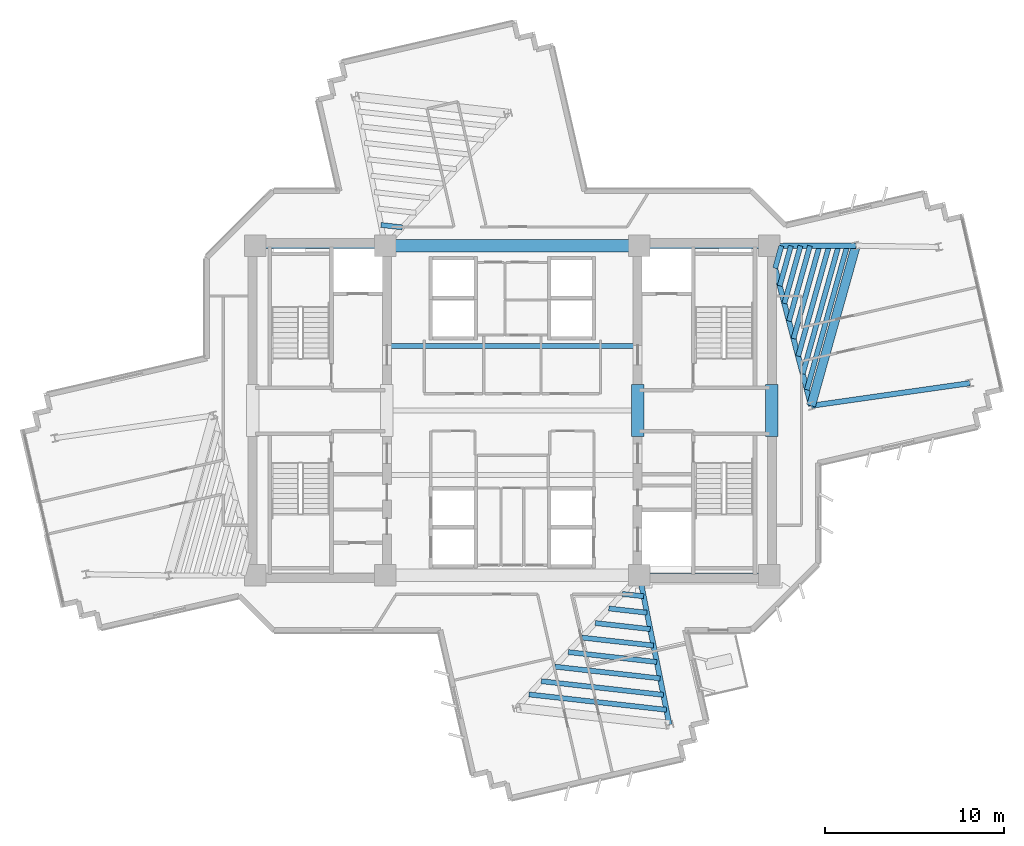
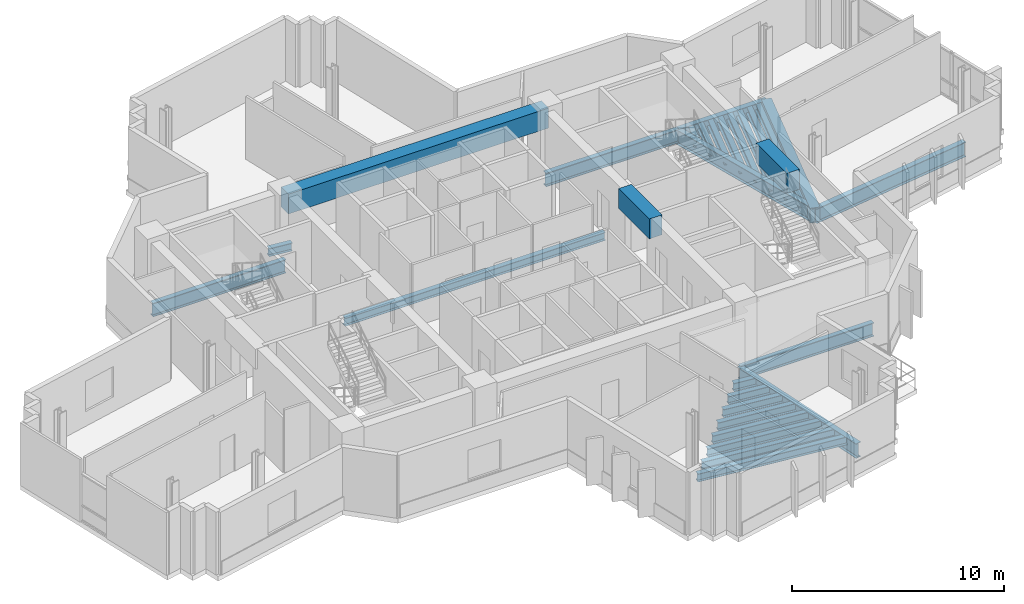
# One storey, part 3 of 13: 29 beams.
"""IFC4 building model written with IfcOpenShell, lengths in metres."""

import ifcopenshell
import ifcopenshell.guid

model = None  # the IFC model being written
_history = None  # IfcOwnerHistory: only IFC2X3 demands one
_inside = {}  # id of a spatial element -> (the spatial element, [elements in it])
_under = {}  # id of a project, library or spatial element -> (it, [spatial elements below it])
_declared = {}  # id of a project -> (the project, [libraries it declares])
_typed = {}  # id of a type object -> (the type object, [elements of that type])
_made_of = {}  # id of a material, layer set ... -> (it, [elements and type objects made of it])


def new_model(schema):
    """Start an empty IFC model of exactly this schema.

    Asked for "IFC4X3", IfcOpenShell would pick the latest addendum, in which some entities
    have other attributes; the version numbers below select the first issue.
    IFC2X3 requires an IfcOwnerHistory on every rooted entity: one is made here for all.
    """
    global model, _history
    if schema == "IFC4X3":
        model = ifcopenshell.file(schema_version=(4, 3, 0, 0))
    else:
        model = ifcopenshell.file(schema=schema)
    _inside.clear()
    _under.clear()
    _declared.clear()
    _typed.clear()
    _made_of.clear()
    _history = None
    if model.schema == "IFC2X3":
        org = make("IfcOrganization", Name="unknown")
        user = make(
            "IfcPersonAndOrganization",
            ThePerson=make("IfcPerson", FamilyName="unknown"),
            TheOrganization=org,
        )
        app = make(
            "IfcApplication",
            ApplicationDeveloper=org,
            Version="unknown",
            ApplicationFullName="unknown",
            ApplicationIdentifier="unknown",
        )
        _history = make(
            "IfcOwnerHistory",
            OwningUser=user,
            OwningApplication=app,
            ChangeAction="ADDED",
            CreationDate=0,
        )
    return model


def make(cls, **values):
    """One entity of the class cls with the attributes given. An attribute that is None is left unset."""
    return model.create_entity(
        cls, **{name: value for name, value in values.items() if value is not None}
    )


def rooted(cls, **values):
    """An entity with a GlobalId (a new one), such as an element, a storey or a relation."""
    return make(cls, GlobalId=ifcopenshell.guid.new(), OwnerHistory=_history, **values)


def si_unit(unit_type, name, prefix=None):
    """IfcSIUnit, for example si_unit("LENGTHUNIT", "METRE", prefix="MILLI")."""
    return make("IfcSIUnit", UnitType=unit_type, Prefix=prefix, Name=name)


def assignment(units):
    """IfcUnitAssignment: the units of a project."""
    return None if units is None else make("IfcUnitAssignment", Units=units)


def point(xyz):
    """IfcCartesianPoint."""
    return None if xyz is None else make("IfcCartesianPoint", Coordinates=xyz)


def direction(xyz):
    """IfcDirection."""
    return None if xyz is None else make("IfcDirection", DirectionRatios=xyz)


def frame(location, z_axis=None, x_axis=None):
    """IfcAxis2Placement3D, a coordinate frame: its origin and axes. An axis left out is left unset."""
    return make(
        "IfcAxis2Placement3D",
        Location=point(location),
        Axis=direction(z_axis),
        RefDirection=direction(x_axis),
    )


def frame_2d(location, x_axis=None):
    """IfcAxis2Placement2D, a coordinate frame in the plane: its origin and x axis."""
    return make(
        "IfcAxis2Placement2D", Location=point(location), RefDirection=direction(x_axis)
    )


def origin():
    """The frame at (0, 0, 0) with its axes left unset."""
    return frame((0.0, 0.0, 0.0))


def origin_2d():
    """The frame at (0, 0) in the plane with its x axis left unset."""
    return frame_2d((0.0, 0.0))


def place(relative_to, where):
    """IfcLocalPlacement: puts the frame where relative to a parent placement (None: the world)."""
    return make(
        "IfcLocalPlacement", PlacementRelTo=relative_to, RelativePlacement=where
    )


def context(
    kind, dimensions, precision=None, world=None, true_north=None, identifier=None
):
    """IfcGeometricRepresentationContext, for example the 3D "Model" context."""
    return make(
        "IfcGeometricRepresentationContext",
        ContextIdentifier=identifier,
        ContextType=kind,
        CoordinateSpaceDimension=dimensions,
        Precision=precision,
        WorldCoordinateSystem=world,
        TrueNorth=true_north,
    )


def subcontext(parent, identifier, kind, view, scale=None):
    """IfcGeometricRepresentationSubContext, for example "Body" below "Model"."""
    return make(
        "IfcGeometricRepresentationSubContext",
        ContextIdentifier=identifier,
        ContextType=kind,
        ParentContext=parent,
        TargetScale=scale,
        TargetView=view,
    )


def project(units=None, contexts=None):
    """IfcProject with its units and contexts."""
    return rooted(
        "IfcProject",
        Name="project",
        RepresentationContexts=contexts,
        UnitsInContext=assignment(units),
    )


def spatial(cls, under=None, at=None, **own):
    """A site, building, storey or space (cls), placed at a placement, below another one or the project."""
    s = rooted(cls, ObjectPlacement=at, **own)
    if under is not None:
        _under.setdefault(under.id(), (under, []))[1].append(s)
    return s


def profile(cls, at=None, kind="AREA", **sizes):
    """A parametric profile (cls). Its sizes go by their IFC names, for example OverallWidth=200.0."""
    return make(cls, ProfileType=kind, Position=at, **sizes)


def rectangle(**sizes):
    """IfcRectangleProfileDef."""
    return profile("IfcRectangleProfileDef", **sizes)


def i_section(**sizes):
    """IfcIShapeProfileDef."""
    return profile("IfcIShapeProfileDef", **sizes)


def extrude(swept, where, along, depth):
    """IfcExtrudedAreaSolid: the profile swept, set in the frame where, extruded along a direction by depth."""
    return make(
        "IfcExtrudedAreaSolid",
        SweptArea=swept,
        Position=where,
        ExtrudedDirection=direction(along),
        Depth=depth,
    )


def shape(context_of_items, identifier, shape_type, items):
    """IfcShapeRepresentation: the items that make up one representation, for example the "Body"."""
    return make(
        "IfcShapeRepresentation",
        ContextOfItems=context_of_items,
        RepresentationIdentifier=identifier,
        RepresentationType=shape_type,
        Items=items,
    )


def source(mapping_origin, context_of_items, identifier, shape_type, items):
    """IfcRepresentationMap: a shape defined once, which mapped items show again and again."""
    return make(
        "IfcRepresentationMap",
        MappingOrigin=mapping_origin,
        MappedRepresentation=shape(context_of_items, identifier, shape_type, items),
    )


def transform(
    local_origin,
    x_axis=None,
    y_axis=None,
    z_axis=None,
    scale=None,
    scale2=None,
    scale3=None,
    uniform=True,
):
    """IfcCartesianTransformationOperator3D, or its non-uniform kind. x_axis, y_axis, z_axis: its Axis1, 2, 3."""
    if uniform:
        return make(
            "IfcCartesianTransformationOperator3D",
            Axis1=direction(x_axis),
            Axis2=direction(y_axis),
            LocalOrigin=point(local_origin),
            Scale=scale,
            Axis3=direction(z_axis),
        )
    return make(
        "IfcCartesianTransformationOperator3DnonUniform",
        Axis1=direction(x_axis),
        Axis2=direction(y_axis),
        LocalOrigin=point(local_origin),
        Scale=scale,
        Axis3=direction(z_axis),
        Scale2=scale2,
        Scale3=scale3,
    )


def mapped(mapping_source, mapping_target):
    """IfcMappedItem: shows the shape of a source again, moved by a transform."""
    return make(
        "IfcMappedItem", MappingSource=mapping_source, MappingTarget=mapping_target
    )


def material(Name=None, Category=None):
    """IfcMaterial."""
    return make("IfcMaterial", Name=Name, Category=Category)


def material_profile(
    of_material, cross_section, Name=None, Category=None, Priority=None
):
    """IfcMaterialProfile: a cross section and its material."""
    return make(
        "IfcMaterialProfile",
        Name=Name,
        Material=of_material,
        Profile=cross_section,
        Priority=Priority,
        Category=Category,
    )


def profile_set(profiles, Name=None, composite=None):
    """IfcMaterialProfileSet."""
    return make(
        "IfcMaterialProfileSet",
        Name=Name,
        MaterialProfiles=profiles,
        CompositeProfile=composite,
    )


def made_of(thing, what):
    """Note that an element or type object is made of a material, layer set ...; save() writes the relation."""
    if what is not None:
        _made_of.setdefault(what.id(), (what, []))[1].append(thing)
    return thing


def type_object(cls, material=None, **own):
    """A type object (cls), such as IfcWallType, which elements share."""
    return made_of(rooted(cls, **own), material)


def element(
    cls,
    number,
    at=None,
    inside=None,
    cuts=None,
    type_object=None,
    material=None,
    context=None,
    identifier="Body",
    shape_type=None,
    held_by="IfcProductDefinitionShape",
    body=None,
    shapes=None,
    **own,
):
    """One element of the class cls, such as IfcWall. Its Tag is "e" and its number.

    at: its placement. inside: the storey or other place that contains it. cuts: it is an
    opening in that element (IfcRelVoidsElement). A single representation is given by context,
    identifier, shape_type and body (its items); several are given by shapes. held_by: the class
    of the entity that holds the representations. save() writes the other relations.
    """
    e = rooted(cls, Tag="e%d" % number, ObjectPlacement=at, **own)
    if body is not None:
        shapes = [shape(context, identifier, shape_type, body)]
    if shapes is not None:
        e.Representation = make(held_by, Representations=shapes)
    if inside is not None:
        _inside.setdefault(inside.id(), (inside, []))[1].append(e)
    if cuts is not None:
        rooted(
            "IfcRelVoidsElement", RelatingBuildingElement=cuts, RelatedOpeningElement=e
        )
    if type_object is not None:
        _typed.setdefault(type_object.id(), (type_object, []))[1].append(e)
    return made_of(e, material)


def aggregate(whole, parts):
    """IfcRelAggregates: a whole, such as a stair, and the parts it consists of."""
    return rooted("IfcRelAggregates", RelatingObject=whole, RelatedObjects=parts)


def save(model, path):
    """Write the relations noted so far, then the file.

    IfcRelAggregates (storeys below a building ...), IfcRelContainedInSpatialStructure (elements
    in a storey), IfcRelDefinesByType, IfcRelAssociatesMaterial and IfcRelDeclares: one each for
    every whole, place, type object, material and project.
    """
    for whole, parts in _under.values():
        aggregate(whole, parts)
    for where, things in _inside.values():
        rooted(
            "IfcRelContainedInSpatialStructure",
            RelatedElements=things,
            RelatingStructure=where,
        )
    for kind, things in _typed.values():
        rooted("IfcRelDefinesByType", RelatedObjects=things, RelatingType=kind)
    for what, things in _made_of.values():
        rooted("IfcRelAssociatesMaterial", RelatedObjects=things, RelatingMaterial=what)
    for by, libraries in _declared.values():
        rooted("IfcRelDeclares", RelatingContext=by, RelatedDefinitions=libraries)
    model.write(path)


model = new_model("IFC4")

# Units and contexts
model_context = context("Model", 3, precision=1e-05, world=origin(), true_north=direction((0.0, 1.0)))
body_context = subcontext(model_context, "Body", "Model", "MODEL_VIEW")
ifc_project = project(units=[si_unit("LENGTHUNIT", "METRE"), si_unit("AREAUNIT", "SQUARE_METRE"), si_unit("VOLUMEUNIT", "CUBIC_METRE"), si_unit("PLANEANGLEUNIT", "RADIAN"), si_unit("MASSUNIT", "GRAM", prefix="KILO")], contexts=[model_context])

# Site, building, storey
site_placement = place(None, origin())
site = spatial("IfcSite", under=ifc_project, at=site_placement, CompositionType="ELEMENT")
building_placement = place(site_placement, origin())
building = spatial("IfcBuilding", under=site, at=building_placement, Name="Zahravan Cultural Tower", CompositionType="ELEMENT")
storey_placement = place(building_placement, frame((0.0, 0.0, 174.60009765625)))
storey = spatial("IfcBuildingStorey", under=building, at=storey_placement, Name="L40", CompositionType="ELEMENT", Elevation=174.60009765625)

# Beams
ifc_material_1 = material(Name="Concrete C50/60", Category="concrete")
ifc_material_profile_1 = material_profile(ifc_material_1, rectangle(XDim=0.699951171875, YDim=1.14990234375, at=origin_2d()), Name="RC700X1150")
ifc_profile_set_1 = profile_set([ifc_material_profile_1], Name="Concrete C50/60")
beam_type_1 = type_object("IfcBeamType", Name="BM-LN-RC700X1150", PredefinedType="LINTEL", material=ifc_profile_set_1)
shared_shape_1 = source(origin(), body_context, "Body", "SweptSolid", [
    extrude(rectangle(XDim=0.699951171875, YDim=1.14990234375, at=origin_2d()), origin(), (0.0, 0.0, 1.0), 14.2001953125),
])
beam_1_placement = place(storey_placement, frame((28.89990234375, 36.199951171875, 3.044921875), z_axis=(1.0, 0.0, 0.0), x_axis=(0.0, 1.0, 0.0)))
element("IfcBeam", 1, at=beam_1_placement, inside=storey, type_object=beam_type_1, Name="L40 Beam LN-L40-N", PredefinedType="LINTEL", context=body_context, shape_type="MappedRepresentation", body=[
    mapped(shared_shape_1, transform((0.0, 0.0, 0.0), x_axis=(1.0, 0.0, 0.0), y_axis=(0.0, 1.0, 0.0), z_axis=(0.0, 0.0, 1.0), scale=1.0)),
])
shared_shape_2 = source(origin(), body_context, "Body", "SweptSolid", [
    extrude(rectangle(XDim=0.699951171875, YDim=1.14990234375, at=origin_2d()), origin(), (0.0, 0.0, 1.0), 2.89990234375),
])
for number, where, z_axis, x_axis, name in (
    (2, (43.0, 25.550048828125, 3.044921875), (0.0, 1.0, 0.0), (-1.0, 0.0, 0.0), "L40 Beam LN-L40-PEW"),
    (3, (50.5, 25.550048828125, 3.044921875), (0.0, 1.0, 0.0), (-1.0, 0.0, 0.0), "L40 Beam LN-L40-PEE"),
):
    element("IfcBeam", number, at=place(storey_placement, frame(where, z_axis=z_axis, x_axis=x_axis)), inside=storey, type_object=beam_type_1, Name=name, PredefinedType="LINTEL", context=body_context, shape_type="MappedRepresentation", body=[
        mapped(shared_shape_2, transform((0.0, 0.0, 0.0), x_axis=(1.0, 0.0, 0.0), y_axis=(0.0, 1.0, 0.0), z_axis=(0.0, 0.0, 1.0), scale=1.0)),
    ])
ifc_material_2 = material(Name="Steel ASTM A992 Grade 50", Category="steel")
ifc_material_profile_2 = material_profile(ifc_material_2, i_section(OverallWidth=0.26611328125, OverallDepth=0.780029296875, WebThickness=0.0166015625, FlangeThickness=0.030029296875, FilletRadius=0.01904296875, at=origin_2d()), Name="W30X148")
ifc_profile_set_2 = profile_set([ifc_material_profile_2], Name="Steel ASTM A992 Grade 50")
beam_type_2 = type_object("IfcBeamType", Name="BM-G-W30X148", PredefinedType="BEAM", material=ifc_profile_set_2)
shared_shape_3 = source(origin(), body_context, "Body", "SweptSolid", [
    extrude(i_section(OverallWidth=0.26611328125, OverallDepth=0.780029296875, WebThickness=0.0166015625, FlangeThickness=0.030029296875, FilletRadius=0.01904296875, at=origin_2d()), origin(), (0.0, 0.0, 1.0), 7.25),
])
for number, where, z_axis, x_axis, name in (
    (4, (21.64990234375, 36.199951171875, -0.670166015625), (1.0, 0.0, 0.0), (0.0, 1.0, 0.0), "L40 Beam BG-L40-02"),
    (5, (43.10009765625, 17.800048828125, -0.670166015625), (1.0, 0.0, 0.0), (0.0, 1.0, 0.0), "L40 Beam BG-L40-04"),
    (6, (43.10009765625, 36.199951171875, -0.670166015625), (1.0, 0.0, 0.0), (0.0, 1.0, 0.0), "L40 Beam BG-L40-05"),
):
    element("IfcBeam", number, at=place(storey_placement, frame(where, z_axis=z_axis, x_axis=x_axis)), inside=storey, type_object=beam_type_2, Name=name, PredefinedType="BEAM", context=body_context, shape_type="MappedRepresentation", body=[
        mapped(shared_shape_3, transform((0.0, 0.0, 0.0), x_axis=(1.0, 0.0, 0.0), y_axis=(0.0, 1.0, 0.0), z_axis=(0.0, 0.0, 1.0), scale=1.0)),
    ])
ifc_material_profile_3 = material_profile(ifc_material_1, rectangle(XDim=0.5, YDim=0.85009765625, at=origin_2d()), Name="RC500X850")
ifc_profile_set_3 = profile_set([ifc_material_profile_3], Name="Concrete C50/60")
beam_type_3 = type_object("IfcBeamType", Name="BM-SP-RC500X850", PredefinedType="SPANDREL", material=ifc_profile_set_3)
shared_shape_4 = source(origin(), body_context, "Body", "SweptSolid", [
    extrude(rectangle(XDim=0.5, YDim=0.85009765625, at=origin_2d()), origin(), (0.0, 0.0, 1.0), 9.2783203125),
])
beam_2_placement = place(storey_placement, frame((52.684326171875, 27.27099609375, -0.705078125), z_axis=(0.269497187032, 0.963001176625, 0.0), x_axis=(-0.963001176625, 0.269497187032, 0.0)))
element("IfcBeam", 7, at=beam_2_placement, inside=storey, type_object=beam_type_3, Name="L40 Beam SP-L40-21", PredefinedType="SPANDREL", context=body_context, shape_type="MappedRepresentation", body=[
    mapped(shared_shape_4, transform((0.0, 0.0, 0.0), x_axis=(1.0, 0.0, 0.0), y_axis=(0.0, 1.0, 0.0), z_axis=(0.0, 0.0, 1.0), scale=1.0)),
])
ifc_material_profile_4 = material_profile(ifc_material_2, i_section(OverallWidth=0.29296875, OverallDepth=0.845947265625, WebThickness=0.015380859375, FlangeThickness=0.0244140625, FilletRadius=0.02001953125, at=origin_2d()), Name="W33X141")
ifc_profile_set_4 = profile_set([ifc_material_profile_4], Name="Steel ASTM A992 Grade 50")
beam_type_4 = type_object("IfcBeamType", Name="BM-G-W33X141", PredefinedType="BEAM", material=ifc_profile_set_4)
shared_shape_5 = source(origin(), body_context, "Body", "SweptSolid", [
    extrude(i_section(OverallWidth=0.29296875, OverallDepth=0.845947265625, WebThickness=0.015380859375, FlangeThickness=0.0244140625, FilletRadius=0.02001953125, at=origin_2d()), origin(), (0.0, 0.0, 1.0), 9.22900390625),
])
beam_3_placement = place(storey_placement, frame((50.35009765625, 36.199951171875, -0.703125), z_axis=(0.252922608408, -0.967486513682, 0.0), x_axis=(0.967486513682, 0.252922608408, 0.0)))
element("IfcBeam", 8, at=beam_3_placement, inside=storey, type_object=beam_type_4, Name="L40 Beam BG-L40-11", PredefinedType="BEAM", context=body_context, shape_type="MappedRepresentation", body=[
    mapped(shared_shape_5, transform((0.0, 0.0, 0.0), x_axis=(1.0, 0.0, 0.0), y_axis=(0.0, 1.0, 0.0), z_axis=(0.0, 0.0, 1.0), scale=1.0)),
])
shared_shape_6 = source(origin(), body_context, "Body", "SweptSolid", [
    extrude(i_section(OverallWidth=0.29296875, OverallDepth=0.845947265625, WebThickness=0.015380859375, FlangeThickness=0.0244140625, FilletRadius=0.02001953125, at=origin_2d()), origin(), (0.0, 0.0, 1.0), 4.834716796875),
])
beam_4_placement = place(storey_placement, frame((50.35009765625, 36.199951171875, -0.703125), z_axis=(0.99999920313, 0.001262433979, 0.0), x_axis=(-0.001262433979, 0.99999920313, 0.0)))
element("IfcBeam", 9, at=beam_4_placement, inside=storey, type_object=beam_type_4, Name="L40 Beam BG-L40-12", PredefinedType="BEAM", context=body_context, shape_type="MappedRepresentation", body=[
    mapped(shared_shape_6, transform((0.0, 0.0, 0.0), x_axis=(1.0, 0.0, 0.0), y_axis=(0.0, 1.0, 0.0), z_axis=(0.0, 0.0, 1.0), scale=1.0)),
])
shared_shape_7 = source(origin(), body_context, "Body", "SweptSolid", [
    extrude(i_section(OverallWidth=0.29296875, OverallDepth=0.845947265625, WebThickness=0.015380859375, FlangeThickness=0.0244140625, FilletRadius=0.02001953125, at=origin_2d()), origin(), (0.0, 0.0, 1.0), 8.50732421875),
])
beam_5_placement = place(storey_placement, frame((43.10009765625, 17.800048828125, -0.703125), z_axis=(0.196524514012, -0.980498911469, 0.0), x_axis=(0.980498911469, 0.196524514012, 0.0)))
element("IfcBeam", 10, at=beam_5_placement, inside=storey, type_object=beam_type_4, Name="L40 Beam BG-L40-10", PredefinedType="BEAM", context=body_context, shape_type="MappedRepresentation", body=[
    mapped(shared_shape_7, transform((0.0, 0.0, 0.0), x_axis=(1.0, 0.0, 0.0), y_axis=(0.0, 1.0, 0.0), z_axis=(0.0, 0.0, 1.0), scale=1.0)),
])
shared_shape_8 = source(origin(), body_context, "Body", "SweptSolid", [
    extrude(i_section(OverallWidth=0.29296875, OverallDepth=0.845947265625, WebThickness=0.015380859375, FlangeThickness=0.0244140625, FilletRadius=0.02001953125, at=origin_2d()), origin(), (0.0, 0.0, 1.0), 8.9580078125),
])
beam_6_placement = place(storey_placement, frame((52.684326171875, 27.27099609375, -0.703125), z_axis=(0.990000122431, 0.141066500584, 0.0), x_axis=(-0.141066500584, 0.990000122431, 0.0)))
element("IfcBeam", 11, at=beam_6_placement, inside=storey, type_object=beam_type_4, Name="L40 Beam BG-L40-15", PredefinedType="BEAM", context=body_context, shape_type="MappedRepresentation", body=[
    mapped(shared_shape_8, transform((0.0, 0.0, 0.0), x_axis=(1.0, 0.0, 0.0), y_axis=(0.0, 1.0, 0.0), z_axis=(0.0, 0.0, 1.0), scale=1.0)),
])
ifc_material_profile_5 = material_profile(ifc_material_2, i_section(OverallWidth=0.280029296875, OverallDepth=0.462890625, WebThickness=0.0107421875, FlangeThickness=0.017333984375, FilletRadius=0.012939453125, at=origin_2d()), Name="W18X76")
ifc_profile_set_5 = profile_set([ifc_material_profile_5], Name="Steel ASTM A992 Grade 50")
beam_type_5 = type_object("IfcBeamType", Name="BM-J-W18X76", PredefinedType="JOIST", material=ifc_profile_set_5)
shared_shape_9 = source(origin(), body_context, "Body", "SweptSolid", [
    extrude(i_section(OverallWidth=0.280029296875, OverallDepth=0.462890625, WebThickness=0.0107421875, FlangeThickness=0.017333984375, FilletRadius=0.012939453125, at=origin_2d()), origin(), (0.0, 0.0, 1.0), 14.2001953125),
])
beam_7_placement = place(storey_placement, frame((28.89990234375, 30.60009765625, -0.51171875), z_axis=(1.0, 0.0, 0.0), x_axis=(0.0, 1.0, 0.0)))
element("IfcBeam", 12, at=beam_7_placement, inside=storey, type_object=beam_type_5, Name="L40 Beam BJ-L40-25", PredefinedType="JOIST", context=body_context, shape_type="MappedRepresentation", body=[
    mapped(shared_shape_9, transform((0.0, 0.0, 0.0), x_axis=(1.0, 0.0, 0.0), y_axis=(0.0, 1.0, 0.0), z_axis=(0.0, 0.0, 1.0), scale=1.0)),
])
shared_shape_10 = source(origin(), body_context, "Body", "SweptSolid", [
    extrude(i_section(OverallWidth=0.280029296875, OverallDepth=0.462890625, WebThickness=0.0107421875, FlangeThickness=0.017333984375, FilletRadius=0.012939453125, at=origin_2d()), origin(), (0.0, 0.0, 1.0), 1.299072265625),
])
beam_8_placement = place(storey_placement, frame((50.6767578125, 34.949951171875, -0.51171875), z_axis=(0.269504444708, 0.962999145525, 0.0), x_axis=(-0.962999145525, 0.269504444708, 0.0)))
element("IfcBeam", 13, at=beam_8_placement, inside=storey, type_object=beam_type_5, Name="L40 Beam BJ-L40-42", PredefinedType="JOIST", context=body_context, shape_type="MappedRepresentation", body=[
    mapped(shared_shape_10, transform((0.0, 0.0, 0.0), x_axis=(1.0, 0.0, 0.0), y_axis=(0.0, 1.0, 0.0), z_axis=(0.0, 0.0, 1.0), scale=1.0)),
])
shared_shape_11 = source(origin(), body_context, "Body", "SweptSolid", [
    extrude(i_section(OverallWidth=0.280029296875, OverallDepth=0.462890625, WebThickness=0.0107421875, FlangeThickness=0.017333984375, FilletRadius=0.012939453125, at=origin_2d()), origin(), (0.0, 0.0, 1.0), 2.3193359375),
])
beam_9_placement = place(storey_placement, frame((50.93359375, 33.9677734375, -0.51171875), z_axis=(0.269462038626, 0.963011012263, 0.0), x_axis=(-0.963011012263, 0.269462038626, 0.0)))
element("IfcBeam", 14, at=beam_9_placement, inside=storey, type_object=beam_type_5, Name="L40 Beam BJ-L40-43", PredefinedType="JOIST", context=body_context, shape_type="MappedRepresentation", body=[
    mapped(shared_shape_11, transform((0.0, 0.0, 0.0), x_axis=(1.0, 0.0, 0.0), y_axis=(0.0, 1.0, 0.0), z_axis=(0.0, 0.0, 1.0), scale=1.0)),
])
shared_shape_12 = source(origin(), body_context, "Body", "SweptSolid", [
    extrude(i_section(OverallWidth=0.280029296875, OverallDepth=0.462890625, WebThickness=0.0107421875, FlangeThickness=0.017333984375, FilletRadius=0.012939453125, at=origin_2d()), origin(), (0.0, 0.0, 1.0), 3.340087890625),
])
beam_10_placement = place(storey_placement, frame((51.190185546875, 32.985595703125, -0.51171875), z_axis=(0.269562146951, 0.962982995141, 0.0), x_axis=(-0.962982995141, 0.269562146951, 0.0)))
element("IfcBeam", 15, at=beam_10_placement, inside=storey, type_object=beam_type_5, Name="L40 Beam BJ-L40-44", PredefinedType="JOIST", context=body_context, shape_type="MappedRepresentation", body=[
    mapped(shared_shape_12, transform((0.0, 0.0, 0.0), x_axis=(1.0, 0.0, 0.0), y_axis=(0.0, 1.0, 0.0), z_axis=(0.0, 0.0, 1.0), scale=1.0)),
])
shared_shape_13 = source(origin(), body_context, "Body", "SweptSolid", [
    extrude(i_section(OverallWidth=0.280029296875, OverallDepth=0.462890625, WebThickness=0.0107421875, FlangeThickness=0.017333984375, FilletRadius=0.012939453125, at=origin_2d()), origin(), (0.0, 0.0, 1.0), 4.36083984375),
])
beam_11_placement = place(storey_placement, frame((51.447021484375, 32.00341796875, -0.51171875), z_axis=(0.269511557673, 0.962997154866, 0.0), x_axis=(-0.962997154866, 0.269511557673, 0.0)))
element("IfcBeam", 16, at=beam_11_placement, inside=storey, type_object=beam_type_5, Name="L40 Beam BJ-L40-45", PredefinedType="JOIST", context=body_context, shape_type="MappedRepresentation", body=[
    mapped(shared_shape_13, transform((0.0, 0.0, 0.0), x_axis=(1.0, 0.0, 0.0), y_axis=(0.0, 1.0, 0.0), z_axis=(0.0, 0.0, 1.0), scale=1.0)),
])
shared_shape_14 = source(origin(), body_context, "Body", "SweptSolid", [
    extrude(i_section(OverallWidth=0.280029296875, OverallDepth=0.462890625, WebThickness=0.0107421875, FlangeThickness=0.017333984375, FilletRadius=0.012939453125, at=origin_2d()), origin(), (0.0, 0.0, 1.0), 5.3818359375),
])
beam_12_placement = place(storey_placement, frame((51.703857421875, 31.02099609375, -0.51171875), z_axis=(0.269510454638, 0.962997463569, 0.0), x_axis=(-0.962997463569, 0.269510454638, 0.0)))
element("IfcBeam", 17, at=beam_12_placement, inside=storey, type_object=beam_type_5, Name="L40 Beam BJ-L40-46", PredefinedType="JOIST", context=body_context, shape_type="MappedRepresentation", body=[
    mapped(shared_shape_14, transform((0.0, 0.0, 0.0), x_axis=(1.0, 0.0, 0.0), y_axis=(0.0, 1.0, 0.0), z_axis=(0.0, 0.0, 1.0), scale=1.0)),
])
shared_shape_15 = source(origin(), body_context, "Body", "SweptSolid", [
    extrude(i_section(OverallWidth=0.280029296875, OverallDepth=0.462890625, WebThickness=0.0107421875, FlangeThickness=0.017333984375, FilletRadius=0.012939453125, at=origin_2d()), origin(), (0.0, 0.0, 1.0), 6.402099609375),
])
beam_13_placement = place(storey_placement, frame((51.960693359375, 30.038818359375, -0.51171875), z_axis=(0.269494133533, 0.963002031146, 0.0), x_axis=(-0.963002031146, 0.269494133533, 0.0)))
element("IfcBeam", 18, at=beam_13_placement, inside=storey, type_object=beam_type_5, Name="L40 Beam BJ-L40-47", PredefinedType="JOIST", context=body_context, shape_type="MappedRepresentation", body=[
    mapped(shared_shape_15, transform((0.0, 0.0, 0.0), x_axis=(1.0, 0.0, 0.0), y_axis=(0.0, 1.0, 0.0), z_axis=(0.0, 0.0, 1.0), scale=1.0)),
])
shared_shape_16 = source(origin(), body_context, "Body", "SweptSolid", [
    extrude(i_section(OverallWidth=0.280029296875, OverallDepth=0.462890625, WebThickness=0.0107421875, FlangeThickness=0.017333984375, FilletRadius=0.012939453125, at=origin_2d()), origin(), (0.0, 0.0, 1.0), 7.4228515625),
])
beam_14_placement = place(storey_placement, frame((52.21728515625, 29.056640625, -0.51171875), z_axis=(0.269504266128, 0.962999195503, 0.0), x_axis=(-0.962999195503, 0.269504266128, 0.0)))
element("IfcBeam", 19, at=beam_14_placement, inside=storey, type_object=beam_type_5, Name="L40 Beam BJ-L40-48", PredefinedType="JOIST", context=body_context, shape_type="MappedRepresentation", body=[
    mapped(shared_shape_16, transform((0.0, 0.0, 0.0), x_axis=(1.0, 0.0, 0.0), y_axis=(0.0, 1.0, 0.0), z_axis=(0.0, 0.0, 1.0), scale=1.0)),
])
shared_shape_17 = source(origin(), body_context, "Body", "SweptSolid", [
    extrude(i_section(OverallWidth=0.280029296875, OverallDepth=0.462890625, WebThickness=0.0107421875, FlangeThickness=0.017333984375, FilletRadius=0.012939453125, at=origin_2d()), origin(), (0.0, 0.0, 1.0), 8.350830078125),
])
beam_15_placement = place(storey_placement, frame((52.450927734375, 28.163818359375, -0.51171875), z_axis=(0.269496539555, 0.963001357822, 0.0), x_axis=(-0.963001357822, 0.269496539555, 0.0)))
element("IfcBeam", 20, at=beam_15_placement, inside=storey, type_object=beam_type_5, Name="L40 Beam BJ-L40-49", PredefinedType="JOIST", context=body_context, shape_type="MappedRepresentation", body=[
    mapped(shared_shape_17, transform((0.0, 0.0, 0.0), x_axis=(1.0, 0.0, 0.0), y_axis=(0.0, 1.0, 0.0), z_axis=(0.0, 0.0, 1.0), scale=1.0)),
])
shared_shape_18 = source(origin(), body_context, "Body", "SweptSolid", [
    extrude(i_section(OverallWidth=0.280029296875, OverallDepth=0.462890625, WebThickness=0.0107421875, FlangeThickness=0.017333984375, FilletRadius=0.012939453125, at=origin_2d()), origin(), (0.0, 0.0, 1.0), 1.201171875),
])
for number, where, z_axis, x_axis, name in (
    (21, (42.140380859375, 16.765625, -0.51171875), (0.99379916149, -0.111190047317, 0.0), (0.111190047317, 0.99379916149, 0.0), "L40 Beam BJ-L40-34"),
    (22, (29.859619140625, 37.234375, -0.51171875), (-0.99379916149, 0.111190047317, 0.0), (-0.111190047317, -0.99379916149, 0.0), "L40 Beam BJ-L40-50"),
):
    element("IfcBeam", number, at=place(storey_placement, frame(where, z_axis=z_axis, x_axis=x_axis)), inside=storey, type_object=beam_type_5, Name=name, PredefinedType="JOIST", context=body_context, shape_type="MappedRepresentation", body=[
        mapped(shared_shape_18, transform((0.0, 0.0, 0.0), x_axis=(1.0, 0.0, 0.0), y_axis=(0.0, 1.0, 0.0), z_axis=(0.0, 0.0, 1.0), scale=1.0)),
    ])
shared_shape_19 = source(origin(), body_context, "Body", "SweptSolid", [
    extrude(i_section(OverallWidth=0.280029296875, OverallDepth=0.462890625, WebThickness=0.0107421875, FlangeThickness=0.017333984375, FilletRadius=0.012939453125, at=origin_2d()), origin(), (0.0, 0.0, 1.0), 2.144775390625),
])
beam_16_placement = place(storey_placement, frame((41.386474609375, 15.953125, -0.51171875), z_axis=(0.993797370806, -0.111206051, 0.0), x_axis=(0.111206051, 0.993797370806, 0.0)))
element("IfcBeam", 23, at=beam_16_placement, inside=storey, type_object=beam_type_5, Name="L40 Beam BJ-L40-35", PredefinedType="JOIST", context=body_context, shape_type="MappedRepresentation", body=[
    mapped(shared_shape_19, transform((0.0, 0.0, 0.0), x_axis=(1.0, 0.0, 0.0), y_axis=(0.0, 1.0, 0.0), z_axis=(0.0, 0.0, 1.0), scale=1.0)),
])
shared_shape_20 = source(origin(), body_context, "Body", "SweptSolid", [
    extrude(i_section(OverallWidth=0.280029296875, OverallDepth=0.462890625, WebThickness=0.0107421875, FlangeThickness=0.017333984375, FilletRadius=0.012939453125, at=origin_2d()), origin(), (0.0, 0.0, 1.0), 3.088623046875),
])
beam_17_placement = place(storey_placement, frame((40.63232421875, 15.140380859375, -0.51171875), z_axis=(0.993805407368, -0.111134208443, 0.0), x_axis=(0.111134208443, 0.993805407368, 0.0)))
element("IfcBeam", 24, at=beam_17_placement, inside=storey, type_object=beam_type_5, Name="L40 Beam BJ-L40-36", PredefinedType="JOIST", context=body_context, shape_type="MappedRepresentation", body=[
    mapped(shared_shape_20, transform((0.0, 0.0, 0.0), x_axis=(1.0, 0.0, 0.0), y_axis=(0.0, 1.0, 0.0), z_axis=(0.0, 0.0, 1.0), scale=1.0)),
])
shared_shape_21 = source(origin(), body_context, "Body", "SweptSolid", [
    extrude(i_section(OverallWidth=0.280029296875, OverallDepth=0.462890625, WebThickness=0.0107421875, FlangeThickness=0.017333984375, FilletRadius=0.012939453125, at=origin_2d()), origin(), (0.0, 0.0, 1.0), 4.0322265625),
])
beam_18_placement = place(storey_placement, frame((39.87841796875, 14.327880859375, -0.51171875), z_axis=(0.993802245601, -0.11116247855, 0.0), x_axis=(0.11116247855, 0.993802245601, 0.0)))
element("IfcBeam", 25, at=beam_18_placement, inside=storey, type_object=beam_type_5, Name="L40 Beam BJ-L40-37", PredefinedType="JOIST", context=body_context, shape_type="MappedRepresentation", body=[
    mapped(shared_shape_21, transform((0.0, 0.0, 0.0), x_axis=(1.0, 0.0, 0.0), y_axis=(0.0, 1.0, 0.0), z_axis=(0.0, 0.0, 1.0), scale=1.0)),
])
shared_shape_22 = source(origin(), body_context, "Body", "SweptSolid", [
    extrude(i_section(OverallWidth=0.280029296875, OverallDepth=0.462890625, WebThickness=0.0107421875, FlangeThickness=0.017333984375, FilletRadius=0.012939453125, at=origin_2d()), origin(), (0.0, 0.0, 1.0), 4.97607421875),
])
beam_19_placement = place(storey_placement, frame((39.124267578125, 13.51513671875, -0.51171875), z_axis=(0.993806308517, -0.111126149723, 0.0), x_axis=(0.111126149723, 0.993806308517, 0.0)))
element("IfcBeam", 26, at=beam_19_placement, inside=storey, type_object=beam_type_5, Name="L40 Beam BJ-L40-38", PredefinedType="JOIST", context=body_context, shape_type="MappedRepresentation", body=[
    mapped(shared_shape_22, transform((0.0, 0.0, 0.0), x_axis=(1.0, 0.0, 0.0), y_axis=(0.0, 1.0, 0.0), z_axis=(0.0, 0.0, 1.0), scale=1.0)),
])
shared_shape_23 = source(origin(), body_context, "Body", "SweptSolid", [
    extrude(i_section(OverallWidth=0.280029296875, OverallDepth=0.462890625, WebThickness=0.0107421875, FlangeThickness=0.017333984375, FilletRadius=0.012939453125, at=origin_2d()), origin(), (0.0, 0.0, 1.0), 5.919921875),
])
beam_20_placement = place(storey_placement, frame((38.370361328125, 12.70263671875, -0.51171875), z_axis=(0.993804520866, -0.111142135602, 0.0), x_axis=(0.111142135602, 0.993804520866, 0.0)))
element("IfcBeam", 27, at=beam_20_placement, inside=storey, type_object=beam_type_5, Name="L40 Beam BJ-L40-39", PredefinedType="JOIST", context=body_context, shape_type="MappedRepresentation", body=[
    mapped(shared_shape_23, transform((0.0, 0.0, 0.0), x_axis=(1.0, 0.0, 0.0), y_axis=(0.0, 1.0, 0.0), z_axis=(0.0, 0.0, 1.0), scale=1.0)),
])
shared_shape_24 = source(origin(), body_context, "Body", "SweptSolid", [
    extrude(i_section(OverallWidth=0.280029296875, OverallDepth=0.462890625, WebThickness=0.0107421875, FlangeThickness=0.017333984375, FilletRadius=0.012939453125, at=origin_2d()), origin(), (0.0, 0.0, 1.0), 6.86376953125),
])
beam_21_placement = place(storey_placement, frame((37.6162109375, 11.889892578125, -0.51171875), z_axis=(0.993803224695, -0.111153725024, 0.0), x_axis=(0.111153725024, 0.993803224695, 0.0)))
element("IfcBeam", 28, at=beam_21_placement, inside=storey, type_object=beam_type_5, Name="L40 Beam BJ-L40-40", PredefinedType="JOIST", context=body_context, shape_type="MappedRepresentation", body=[
    mapped(shared_shape_24, transform((0.0, 0.0, 0.0), x_axis=(1.0, 0.0, 0.0), y_axis=(0.0, 1.0, 0.0), z_axis=(0.0, 0.0, 1.0), scale=1.0)),
])
shared_shape_25 = source(origin(), body_context, "Body", "SweptSolid", [
    extrude(i_section(OverallWidth=0.280029296875, OverallDepth=0.462890625, WebThickness=0.0107421875, FlangeThickness=0.017333984375, FilletRadius=0.012939453125, at=origin_2d()), origin(), (0.0, 0.0, 1.0), 7.7216796875),
])
beam_22_placement = place(storey_placement, frame((36.930908203125, 11.151123046875, -0.51171875), z_axis=(0.993805212115, -0.11113595446, 0.0), x_axis=(0.11113595446, 0.993805212115, 0.0)))
element("IfcBeam", 29, at=beam_22_placement, inside=storey, type_object=beam_type_5, Name="L40 Beam BJ-L40-41", PredefinedType="JOIST", context=body_context, shape_type="MappedRepresentation", body=[
    mapped(shared_shape_25, transform((0.0, 0.0, 0.0), x_axis=(1.0, 0.0, 0.0), y_axis=(0.0, 1.0, 0.0), z_axis=(0.0, 0.0, 1.0), scale=1.0)),
])

save(model, "model.ifc")
